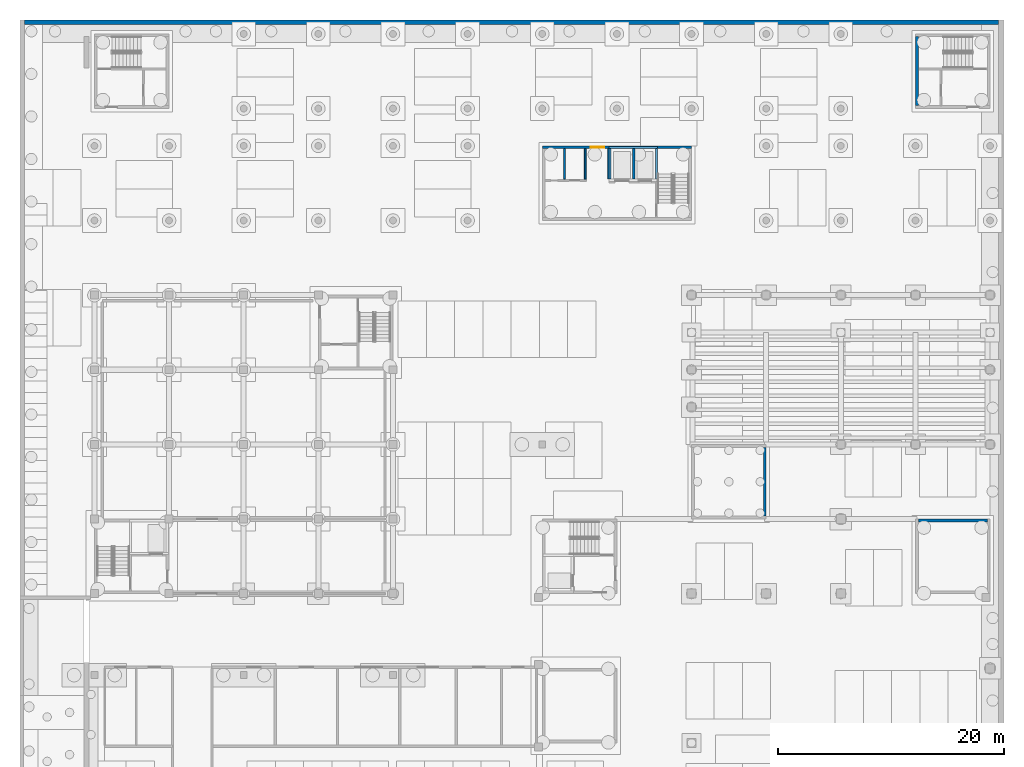
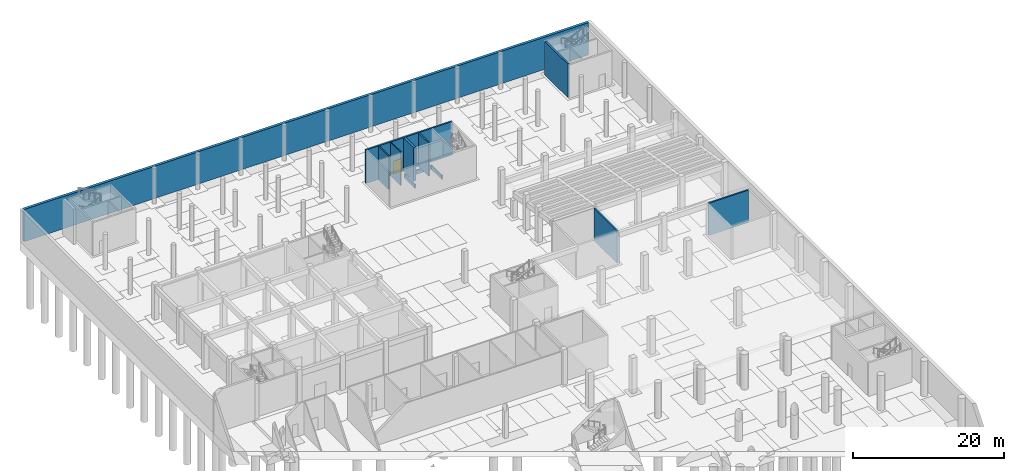
# One storey, part 18 of 38: 12 walls, 1 door, 1 opening.
"""IFC4 building model written with IfcOpenShell, lengths in metres."""

from ifc_helpers import new_model, si_unit, direction, frame, frame_2d, origin, place, context, subcontext, project, spatial, rectangle, extrude, material, layer, layer_set, type_object, element, fill, save


model = new_model("IFC4")

# Units and contexts
model_context = context("Model", 3, precision=1e-05, world=origin(), true_north=direction((0.0, 1.0)))
body_context = subcontext(model_context, "Body", "Model", "MODEL_VIEW")
ifc_project = project(units=[si_unit("LENGTHUNIT", "METRE"), si_unit("AREAUNIT", "SQUARE_METRE"), si_unit("VOLUMEUNIT", "CUBIC_METRE"), si_unit("PLANEANGLEUNIT", "RADIAN"), si_unit("MASSUNIT", "GRAM", prefix="KILO")], contexts=[model_context])

# Site, building, storey
site_placement = place(None, origin())
site = spatial("IfcSite", under=ifc_project, at=site_placement, CompositionType="ELEMENT")
building_placement = place(site_placement, origin())
building = spatial("IfcBuilding", under=site, at=building_placement, Name="Lantern Court Research Institute", CompositionType="ELEMENT")
storey_placement = place(building_placement, frame((0.0, 0.0, -5.699951171875)))
storey = spatial("IfcBuildingStorey", under=building, at=storey_placement, Name="B1", CompositionType="ELEMENT", Elevation=-5.699951171875)

# Wall, opening, door
ifc_material_1 = material(Name="Concrete C40/50", Category="concrete")
ifc_layer_1 = layer(ifc_material_1, 0.25)
ifc_layer_set_1 = layer_set([ifc_layer_1], Name="Concrete C40/50")
wall_type_1 = type_object("IfcWallType", Name="RC core wall 250", PredefinedType="SHEAR", material=ifc_layer_set_1)
wall_1_placement = place(storey_placement, frame((52.800048828125, 88.97509765625, 0.0), z_axis=(0.0, 0.0, 1.0), x_axis=(-1.0, 0.0, 0.0)))
wall_1 = element("IfcWall", 1, at=wall_1_placement, inside=storey, type_object=wall_type_1, Name="North wall of core WC-M", PredefinedType="SHEAR", context=body_context, shape_type="SweptSolid", body=[
    extrude(rectangle(XDim=13.199951171875, YDim=0.25, at=frame_2d((6.60009765625, 0.0))), origin(), (0.0, 0.0, 1.0), 5.39990234375),
])
opening_placement = place(wall_1_placement, frame((7.699951171875, 0.0, 0.0)))
opening = element("IfcOpeningElement", 2, at=opening_placement, cuts=wall_1, Name="Opening D7216", PredefinedType="OPENING", context=body_context, shape_type="SweptSolid", body=[
    extrude(rectangle(XDim=1.199951171875, YDim=2.10009765625, at=frame_2d((0.60009765625, 1.050048828125))), frame((0.0, 0.135009765625, 0.0), z_axis=(0.0, -1.0, 0.0), x_axis=(1.0, 0.0, 0.0)), (0.0, 0.0, 1.0), 0.27001953125),
])
ifc_material_2 = material(Name="Steel fire door leaf with smoke seals", Category="steel")
door_type = type_object("IfcDoorType", Name="Door 1200 x 2100 fire rated FD60S", OperationType="NOTDEFINED", PredefinedType="DOOR", material=ifc_material_2)
door_placement = place(opening_placement, origin())
door = element("IfcDoor", 3, at=door_placement, inside=storey, type_object=door_type, Name="Lobby door", OperationType="SINGLE_SWING_RIGHT", OverallHeight=2.10009765625, OverallWidth=1.199951171875, PredefinedType="DOOR", context=body_context, shape_type="SweptSolid", body=[
    extrude(rectangle(XDim=1.199951171875, YDim=2.10009765625, at=frame_2d((0.60009765625, 1.050048828125))), frame((0.0, 0.02490234375, 0.0), z_axis=(0.0, -1.0, 0.0), x_axis=(1.0, 0.0, 0.0)), (0.0, 0.0, 1.0), 0.050048828125),
])
fill(opening, door)

# Walls
wall_2_placement = place(storey_placement, frame((72.72509765625, 92.64990234375, 0.0), z_axis=(0.0, 0.0, 1.0), x_axis=(0.0, 1.0, 0.0)))
element("IfcWall", 4, at=wall_2_placement, inside=storey, type_object=wall_type_1, Name="West wall of core WC-E", PredefinedType="SHEAR", context=body_context, shape_type="SweptSolid", body=[
    extrude(rectangle(XDim=6.10009765625, YDim=0.25, at=frame_2d((3.050048828125, 0.0))), origin(), (0.0, 0.0, 1.0), 5.39990234375),
])
for number, where, z_axis, x_axis, name in (
    (5, (72.85009765625, 55.97509765625, 0.0), (0.0, 0.0, 1.0), (1.0, 0.0, 0.0), "North wall of core HC-B"),
    (6, (59.27490234375, 56.35009765625, 0.0), (0.0, 0.0, 1.0), (0.0, 1.0, 0.0), "East wall of core TH-A"),
):
    element("IfcWall", number, at=place(storey_placement, frame(where, z_axis=z_axis, x_axis=x_axis)), inside=storey, type_object=wall_type_1, Name=name, PredefinedType="SHEAR", context=body_context, shape_type="SweptSolid", body=[
        extrude(rectangle(XDim=6.099853515625, YDim=0.25, at=frame_2d((3.0498046875, 0.0))), origin(), (0.0, 0.0, 1.0), 5.199951171875),
    ])
ifc_material_3 = material(Name="Concrete C30/37", Category="concrete")
ifc_layer_2 = layer(ifc_material_3, 0.199951171875)
ifc_layer_set_2 = layer_set([ifc_layer_2], Name="Concrete C30/37")
wall_type_2 = type_object("IfcWallType", Name="RC lift pit wall 200", PredefinedType="SHEAR", material=ifc_layer_set_2)
wall_3_placement = place(storey_placement, frame((45.5, 88.949951171875, -1.199951171875), z_axis=(0.0, 0.0, 1.0), x_axis=(1.0, 0.0, 0.0)))
element("IfcWall", 7, at=wall_3_placement, inside=storey, type_object=wall_type_2, Name="Lift pit wall of core WC-M (north)", PredefinedType="SHEAR", context=body_context, shape_type="SweptSolid", body=[
    extrude(rectangle(XDim=4.300048828125, YDim=0.199951171875, at=frame_2d((2.14990234375, 0.0))), origin(), (0.0, 0.0, 1.0), 0.599853515625),
])
for number, where, z_axis, x_axis, name in (
    (8, (45.60009765625, 86.14990234375, -1.199951171875), (0.0, 0.0, 1.0), (0.0, 1.0, 0.0), "Lift pit wall of core WC-M (west)"),
    (9, (49.699951171875, 86.14990234375, -1.199951171875), (0.0, 0.0, 1.0), (0.0, 1.0, 0.0), "Lift pit wall of core WC-M (east)"),
):
    element("IfcWall", number, at=place(storey_placement, frame(where, z_axis=z_axis, x_axis=x_axis)), inside=storey, type_object=wall_type_2, Name=name, PredefinedType="SHEAR", context=body_context, shape_type="SweptSolid", body=[
        extrude(rectangle(XDim=2.7001953125, YDim=0.199951171875, at=frame_2d((1.35009765625, 0.0))), origin(), (0.0, 0.0, 1.0), 0.599853515625),
    ])
ifc_material_4 = material(Name="Concrete C40/50", Category="concrete")
ifc_layer_3 = layer(ifc_material_4, 0.14990234375)
ifc_layer_set_3 = layer_set([ifc_layer_3], Name="Concrete C40/50")
wall_type_3 = type_object("IfcWallType", Name="RC shaft wall 150", PredefinedType="SHEAR", material=ifc_layer_set_3)
for number, where, z_axis, x_axis, name in (
    (10, (43.39990234375, 88.85009765625, 0.0), (0.0, 0.0, 1.0), (0.0, -1.0, 0.0), "Riser wall of core WC-M"),
    (11, (41.574951171875, 88.85009765625, 0.0), (0.0, 0.0, 1.0), (0.0, -1.0, 0.0), "Riser wall of core WC-M"),
):
    element("IfcWall", number, at=place(storey_placement, frame(where, z_axis=z_axis, x_axis=x_axis)), inside=storey, type_object=wall_type_3, Name=name, PredefinedType="SHEAR", context=body_context, shape_type="SweptSolid", body=[
        extrude(rectangle(XDim=2.7001953125, YDim=0.14990234375, at=frame_2d((1.35009765625, 0.0))), origin(), (0.0, 0.0, 1.0), 5.39990234375),
    ])
ifc_material_5 = material(Name="Concrete C40/50", Category="concrete")
ifc_layer_4 = layer(ifc_material_5, 0.199951171875)
ifc_layer_set_4 = layer_set([ifc_layer_4], Name="Concrete C40/50")
wall_type_4 = type_object("IfcWallType", Name="RC shaft wall 200", PredefinedType="SHEAR", material=ifc_layer_set_4)
wall_4_placement = place(storey_placement, frame((47.699951171875, 88.85009765625, 0.0), z_axis=(0.0, 0.0, 1.0), x_axis=(0.0, -1.0, 0.0)))
element("IfcWall", 12, at=wall_4_placement, inside=storey, type_object=wall_type_4, Name="Lift shaft wall of core WC-M", PredefinedType="SHEAR", context=body_context, shape_type="SweptSolid", body=[
    extrude(rectangle(XDim=2.7001953125, YDim=0.199951171875, at=frame_2d((1.35009765625, 0.0))), origin(), (0.0, 0.0, 1.0), 5.39990234375),
])
ifc_material_6 = material(Name="Concrete C40/50", Category="concrete")
ifc_layer_5 = layer(ifc_material_6, 0.35009765625)
ifc_layer_set_5 = layer_set([ifc_layer_5], Name="Concrete C40/50")
wall_type_5 = type_object("IfcWallType", Name="RC shaft wall 350", PredefinedType="SHEAR", material=ifc_layer_set_5)
wall_5_placement = place(storey_placement, frame((45.52490234375, 88.85009765625, 0.0), z_axis=(0.0, 0.0, 1.0), x_axis=(0.0, -1.0, 0.0)))
element("IfcWall", 13, at=wall_5_placement, inside=storey, type_object=wall_type_5, Name="Lift shaft wall of core WC-M", PredefinedType="SHEAR", context=body_context, shape_type="SweptSolid", body=[
    extrude(rectangle(XDim=2.7001953125, YDim=0.35009765625, at=frame_2d((1.35009765625, 0.0))), origin(), (0.0, 0.0, 1.0), 5.39990234375),
])
ifc_material_7 = material(Name="Concrete C30/37", Category="concrete")
ifc_layer_6 = layer(ifc_material_7, 0.39990234375)
ifc_layer_set_6 = layer_set([ifc_layer_6], Name="Concrete C30/37")
wall_type_6 = type_object("IfcWallType", Name="Retaining wall 400", PredefinedType="SOLIDWALL", material=ifc_layer_set_6)
wall_6_placement = place(storey_placement, frame((-6.179931640625, 100.030029296875, 0.0), z_axis=(0.0, 0.0, 1.0), x_axis=(1.0, 0.0, 0.0)))
element("IfcWall", 14, at=wall_6_placement, inside=storey, type_object=wall_type_6, Name="RW3", PredefinedType="SOLIDWALL", context=body_context, shape_type="SweptSolid", body=[
    extrude(rectangle(XDim=86.10986328125, YDim=0.39990234375, at=frame_2d((43.054931640625, 0.0))), origin(), (0.0, 0.0, 1.0), 5.199951171875),
])

save(model, "model.ifc")
